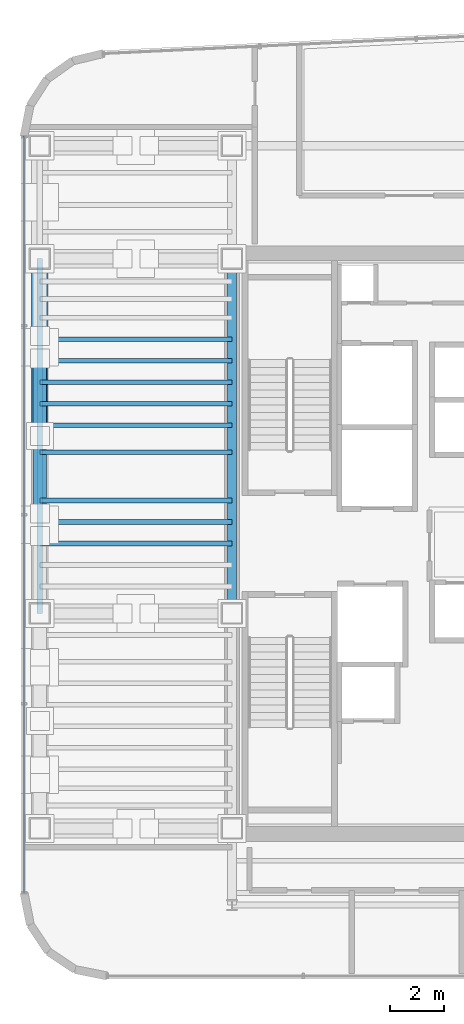
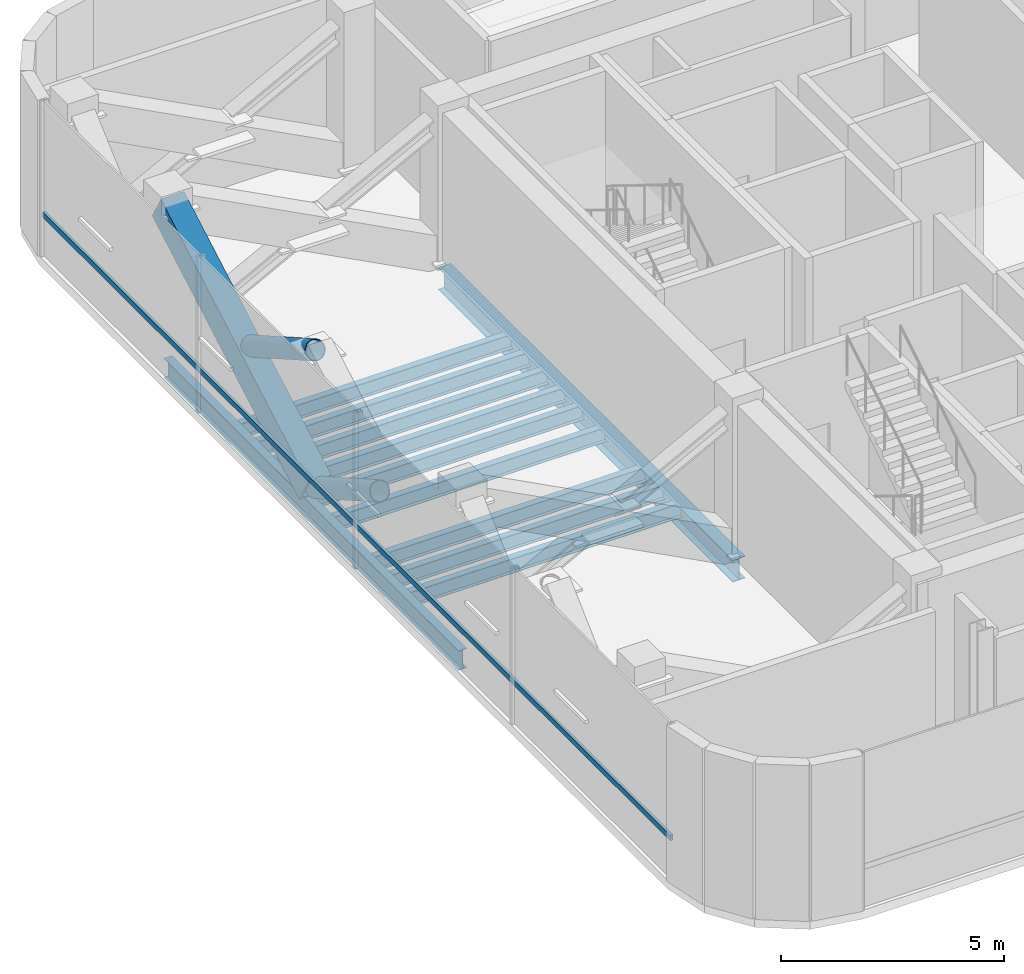
# One storey, part 7 of 19: 11 beams, 4 members, 1 element without a shape of its own.
"""IFC4 building model written with IfcOpenShell, lengths in metres."""

from ifc_helpers import new_model, si_unit, direction, frame, origin, origin_2d, place, context, subcontext, project, spatial, hollow_rectangle, hollow_circle, i_section, extrude, source, transform, mapped, material, material_profile, profile_set, type_object, element, aggregate, save


model = new_model("IFC4")

# Units and contexts
model_context = context("Model", 3, precision=1e-05, world=origin(), true_north=direction((0.0, 1.0)))
body_context = subcontext(model_context, "Body", "Model", "MODEL_VIEW")
ifc_project = project(units=[si_unit("LENGTHUNIT", "METRE"), si_unit("AREAUNIT", "SQUARE_METRE"), si_unit("VOLUMEUNIT", "CUBIC_METRE"), si_unit("PLANEANGLEUNIT", "RADIAN"), si_unit("MASSUNIT", "GRAM", prefix="KILO")], contexts=[model_context])

# Site, building, storey
site_placement = place(None, origin())
site = spatial("IfcSite", under=ifc_project, at=site_placement, CompositionType="ELEMENT")
building_placement = place(site_placement, origin())
building = spatial("IfcBuilding", under=site, at=building_placement, Name="Valdorenza Pilgrim Sanctuary Tower", CompositionType="ELEMENT")
storey_placement = place(building_placement, frame((0.0, 0.0, 261.5)))
storey = spatial("IfcBuildingStorey", under=building, at=storey_placement, Name="L68", CompositionType="ELEMENT", Elevation=261.5)

# Beams
ifc_material_1 = material(Name="Steel ASTM A992 Grade 50", Category="steel")
ifc_material_profile_1 = material_profile(ifc_material_1, i_section(OverallWidth=0.323974609375, OverallDepth=0.611083984375, WebThickness=0.0126953125, FlangeThickness=0.01904296875, at=origin_2d()), Name="W24X104")
ifc_profile_set_1 = profile_set([ifc_material_profile_1], Name="Steel ASTM A992 Grade 50")
beam_type_1 = type_object("IfcBeamType", Name="STR-BM-GRD-W24B", PredefinedType="BEAM", material=ifc_profile_set_1)
shared_shape_1 = source(origin(), body_context, "Body", "SweptSolid", [
    extrude(i_section(OverallWidth=0.323974609375, OverallDepth=0.611083984375, WebThickness=0.0126953125, FlangeThickness=0.01904296875, at=origin_2d()), origin(), (0.0, 0.0, 1.0), 13.2001953125),
])
beam_1_placement = place(storey_placement, frame((-22.64990234375, -2.60009765625, -0.54541015625), z_axis=(0.0, 1.0, 0.0), x_axis=(-1.0, 0.0, 0.0)))
element("IfcBeam", 1, at=beam_1_placement, inside=storey, type_object=beam_type_1, Name="L68 Core Tie Girder CA-W-M0N1", PredefinedType="BEAM", context=body_context, shape_type="MappedRepresentation", body=[
    mapped(shared_shape_1, transform((0.0, 0.0, 0.0), x_axis=(1.0, 0.0, 0.0), y_axis=(0.0, 1.0, 0.0), z_axis=(0.0, 0.0, 1.0), scale=1.0)),
])
ifc_material_profile_2 = material_profile(ifc_material_1, i_section(OverallWidth=0.2109375, OverallDepth=0.5390625, WebThickness=0.01171875, FlangeThickness=0.018798828125, at=origin_2d()), Name="W21X73")
ifc_profile_set_2 = profile_set([ifc_material_profile_2], Name="Steel ASTM A992 Grade 50")
beam_type_2 = type_object("IfcBeamType", Name="STR-BM-SPN-W21B", PredefinedType="SPANDREL", material=ifc_profile_set_2)
shared_shape_2 = source(origin(), body_context, "Body", "SweptSolid", [
    extrude(i_section(OverallWidth=0.2109375, OverallDepth=0.5390625, WebThickness=0.01171875, FlangeThickness=0.018798828125, at=origin_2d()), origin(), (0.0, 0.0, 1.0), 13.2001953125),
])
beam_2_placement = place(storey_placement, frame((-29.800048828125, -2.60009765625, -0.509521484375), z_axis=(0.0, 1.0, 0.0), x_axis=(-1.0, 0.0, 0.0)))
element("IfcBeam", 2, at=beam_2_placement, inside=storey, type_object=beam_type_2, Name="L68 Spandrel Beam WA-W-M0N1", PredefinedType="SPANDREL", context=body_context, shape_type="MappedRepresentation", body=[
    mapped(shared_shape_2, transform((0.0, 0.0, 0.0), x_axis=(1.0, 0.0, 0.0), y_axis=(0.0, 1.0, 0.0), z_axis=(0.0, 0.0, 1.0), scale=1.0)),
])
ifc_material_profile_3 = material_profile(ifc_material_1, i_section(OverallWidth=0.177978515625, OverallDepth=0.406005859375, WebThickness=0.0078125, FlangeThickness=0.0126953125, at=origin_2d()), Name="W16X40")
ifc_profile_set_3 = profile_set([ifc_material_profile_3], Name="Steel ASTM A992 Grade 50")
beam_type_3 = type_object("IfcBeamType", Name="STR-BM-JST-W16", PredefinedType="JOIST", material=ifc_profile_set_3)
shared_shape_3 = source(origin(), body_context, "Body", "SweptSolid", [
    extrude(i_section(OverallWidth=0.177978515625, OverallDepth=0.406005859375, WebThickness=0.0078125, FlangeThickness=0.0126953125, at=origin_2d()), origin(), (0.0, 0.0, 1.0), 7.150146484375),
])
for number, where, z_axis, x_axis, name in (
    (3, (-29.800048828125, 0.0, -0.443115234375), (1.0, 0.0, 0.0), (0.0, 1.0, 0.0), "L68 Composite Floor Joist JST-WA-12"),
    (4, (-29.800048828125, 0.800048828125, -0.443115234375), (1.0, 0.0, 0.0), (0.0, 1.0, 0.0), "L68 Composite Floor Joist JST-WA-13"),
    (5, (-29.800048828125, 1.60009765625, -0.443115234375), (1.0, 0.0, 0.0), (0.0, 1.0, 0.0), "L68 Composite Floor Joist JST-WA-14"),
    (6, (-29.800048828125, 3.39990234375, -0.443115234375), (1.0, 0.0, 0.0), (0.0, 1.0, 0.0), "L68 Composite Floor Joist JST-WA-15"),
    (7, (-29.800048828125, 4.39990234375, -0.443115234375), (1.0, 0.0, 0.0), (0.0, 1.0, 0.0), "L68 Composite Floor Joist JST-WA-16"),
    (8, (-29.800048828125, 5.199951171875, -0.443115234375), (1.0, 0.0, 0.0), (0.0, 1.0, 0.0), "L68 Composite Floor Joist JST-WA-17"),
    (9, (-29.800048828125, 6.0, -0.443115234375), (1.0, 0.0, 0.0), (0.0, 1.0, 0.0), "L68 Composite Floor Joist JST-WA-18"),
    (10, (-29.800048828125, 6.800048828125, -0.443115234375), (1.0, 0.0, 0.0), (0.0, 1.0, 0.0), "L68 Composite Floor Joist JST-WA-19"),
    (11, (-29.800048828125, 7.60009765625, -0.443115234375), (1.0, 0.0, 0.0), (0.0, 1.0, 0.0), "L68 Composite Floor Joist JST-WA-20"),
):
    element("IfcBeam", number, at=place(storey_placement, frame(where, z_axis=z_axis, x_axis=x_axis)), inside=storey, type_object=beam_type_3, Name=name, PredefinedType="JOIST", context=body_context, shape_type="MappedRepresentation", body=[
        mapped(shared_shape_3, transform((0.0, 0.0, 0.0), x_axis=(1.0, 0.0, 0.0), y_axis=(0.0, 1.0, 0.0), z_axis=(0.0, 0.0, 1.0), scale=1.0)),
    ])

# Members
ifc_material_2 = material(Name="Steel ASTM A572 Grade 42", Category="steel")
ifc_material_profile_4 = material_profile(ifc_material_2, hollow_rectangle(XDim=0.60009765625, YDim=0.800048828125, WallThickness=0.06005859375, at=origin_2d()), Name="BOX 800x600x60")
ifc_profile_set_4 = profile_set([ifc_material_profile_4], Name="Steel ASTM A572 Grade 42")
member_type_1 = type_object("IfcMemberType", Name="STR-MB-BLT-BOX800", PredefinedType="BRACE", material=ifc_profile_set_4)
shared_shape_4 = source(origin(), body_context, "Body", "SweptSolid", [
    extrude(hollow_rectangle(XDim=0.60009765625, YDim=0.800048828125, WallThickness=0.06005859375, at=origin_2d()), origin(), (0.0, 0.0, 1.0), 7.591064453125),
])
member_1_placement = place(storey_placement, frame((-29.800048828125, 4.0, 0.199951171875), z_axis=(0.0, 0.869459696941, 0.494003881964), x_axis=(-1.0, 0.0, 0.0)))
element("IfcMember", 12, at=member_1_placement, inside=storey, type_object=member_type_1, Name="L68 Perimeter Belt Truss Diagonal W4", PredefinedType="BRACE", context=body_context, shape_type="MappedRepresentation", body=[
    mapped(shared_shape_4, transform((0.0, 0.0, 0.0), x_axis=(1.0, 0.0, 0.0), y_axis=(0.0, 1.0, 0.0), z_axis=(0.0, 0.0, 1.0), scale=1.0)),
])
ifc_material_3 = material(Name="Steel S355J2", Category="steel")
ifc_material_profile_5 = material_profile(ifc_material_3, hollow_circle(Radius=0.25390625, WallThickness=0.02001953125, at=origin_2d()), Name="CHS 508x20")
ifc_profile_set_5 = profile_set([ifc_material_profile_5], Name="Steel S355J2")
member_type_2 = type_object("IfcMemberType", Name="STR-MB-CHS-508", PredefinedType="STRUT", material=ifc_profile_set_5)
shared_shape_5 = source(origin(), body_context, "Body", "SweptSolid", [
    extrude(hollow_circle(Radius=0.25390625, WallThickness=0.02001953125, at=origin_2d()), origin(), (0.0, 0.0, 1.0), 3.31787109375),
])
for number, where, z_axis, x_axis, name in (
    (13, (-29.800048828125, 1.115234375, 1.839111328125), (0.0, 0.869445064457, -0.494029634628), (-1.0, 0.0, 0.0), "L68 Perimeter Counter-Belt Strut CW3 Upper Segment"),
    (14, (-29.800048828125, 4.0, 3.949951171875), (0.0, 0.869445064457, -0.494029634628), (-1.0, 0.0, 0.0), "L68 Perimeter Counter-Belt Strut CW4 Lower Segment"),
):
    element("IfcMember", number, at=place(storey_placement, frame(where, z_axis=z_axis, x_axis=x_axis)), inside=storey, type_object=member_type_2, Name=name, PredefinedType="STRUT", context=body_context, shape_type="MappedRepresentation", body=[
        mapped(shared_shape_5, transform((0.0, 0.0, 0.0), x_axis=(1.0, 0.0, 0.0), y_axis=(0.0, 1.0, 0.0), z_axis=(0.0, 0.0, 1.0), scale=1.0)),
    ])

# Curtain wall, member
ifc_material_4 = material(Name="Curtain-wall IGU glazing", Category="glass")
curtain_wall_type = type_object("IfcCurtainWallType", Name="CW-SYS-02", PredefinedType="NOTDEFINED", material=ifc_material_4)
curtain_wall_placement = place(storey_placement, origin())
curtain_wall = element("IfcCurtainWall", 15, at=curtain_wall_placement, inside=storey, type_object=curtain_wall_type, Name="L68 Curtain Wall CW-L68-1-1", PredefinedType="NOTDEFINED")
ifc_material_5 = material(Name="Anodised aluminium AW-6060", Category="aluminium")
ifc_material_profile_6 = material_profile(ifc_material_5, hollow_rectangle(XDim=0.074951171875, YDim=0.14990234375, WallThickness=0.00390625, at=origin_2d()), Name="ALU-T 150x75x4")
ifc_profile_set_6 = profile_set([ifc_material_profile_6], Name="Anodised aluminium AW-6060")
member_type_3 = type_object("IfcMemberType", Name="CW-TRN-02", PredefinedType="USERDEFINED", material=ifc_profile_set_6)
shared_shape_6 = source(origin(), body_context, "Body", "SweptSolid", [
    extrude(hollow_rectangle(XDim=0.074951171875, YDim=0.14990234375, WallThickness=0.00390625, at=origin_2d()), origin(), (0.0, 0.0, 1.0), 28.1259765625),
])
member_2_placement = place(storey_placement, frame((-30.389892578125, -12.9892578125, 1.1201171875), z_axis=(0.0, 1.0, 0.0), x_axis=(-1.0, 0.0, 0.0)))
member_2 = element("IfcMember", 16, at=member_2_placement, type_object=member_type_3, Name="CW-L68-1-1 Transom 1", ObjectType="TRANSOM", PredefinedType="USERDEFINED", context=body_context, shape_type="MappedRepresentation", body=[
    mapped(shared_shape_6, transform((0.0, 0.0, 0.0), x_axis=(1.0, 0.0, 0.0), y_axis=(0.0, 1.0, 0.0), z_axis=(0.0, 0.0, 1.0), scale=1.0)),
])
aggregate(curtain_wall, [member_2])

save(model, "model.ifc")
